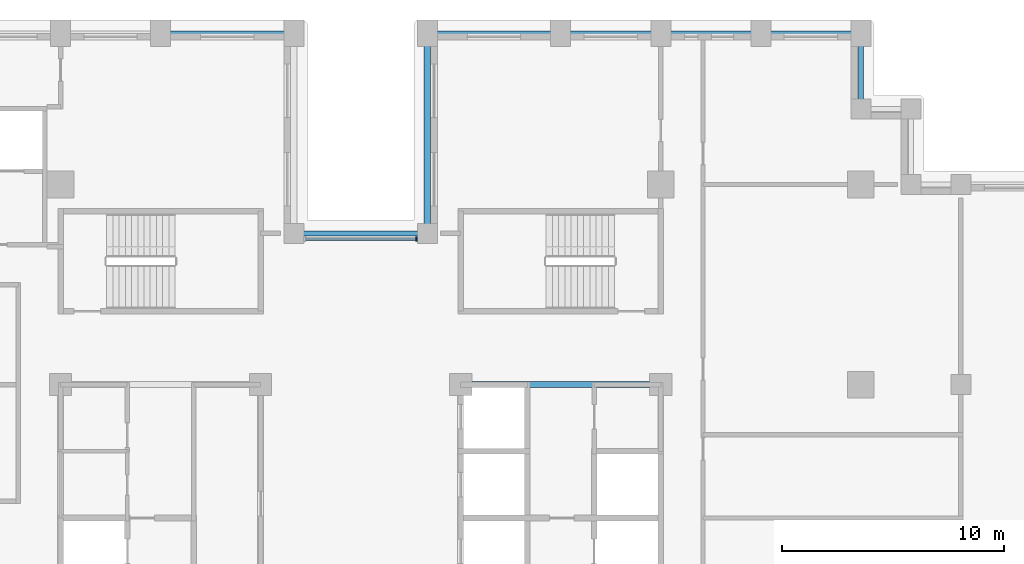
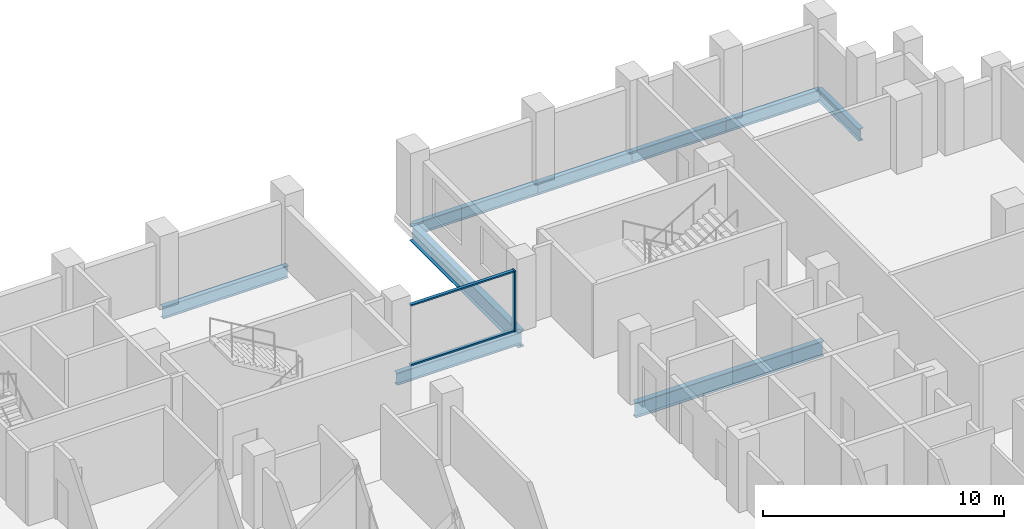
# One storey, part 4 of 15: 9 beams, 3 members, 1 element without a shape of its own.
"""IFC4 building model written with IfcOpenShell, lengths in metres."""

import ifcopenshell
import ifcopenshell.guid

model = None  # the IFC model being written
_history = None  # IfcOwnerHistory: only IFC2X3 demands one
_inside = {}  # id of a spatial element -> (the spatial element, [elements in it])
_under = {}  # id of a project, library or spatial element -> (it, [spatial elements below it])
_declared = {}  # id of a project -> (the project, [libraries it declares])
_typed = {}  # id of a type object -> (the type object, [elements of that type])
_made_of = {}  # id of a material, layer set ... -> (it, [elements and type objects made of it])


def new_model(schema):
    """Start an empty IFC model of exactly this schema.

    Asked for "IFC4X3", IfcOpenShell would pick the latest addendum, in which some entities
    have other attributes; the version numbers below select the first issue.
    IFC2X3 requires an IfcOwnerHistory on every rooted entity: one is made here for all.
    """
    global model, _history
    if schema == "IFC4X3":
        model = ifcopenshell.file(schema_version=(4, 3, 0, 0))
    else:
        model = ifcopenshell.file(schema=schema)
    _inside.clear()
    _under.clear()
    _declared.clear()
    _typed.clear()
    _made_of.clear()
    _history = None
    if model.schema == "IFC2X3":
        org = make("IfcOrganization", Name="unknown")
        user = make(
            "IfcPersonAndOrganization",
            ThePerson=make("IfcPerson", FamilyName="unknown"),
            TheOrganization=org,
        )
        app = make(
            "IfcApplication",
            ApplicationDeveloper=org,
            Version="unknown",
            ApplicationFullName="unknown",
            ApplicationIdentifier="unknown",
        )
        _history = make(
            "IfcOwnerHistory",
            OwningUser=user,
            OwningApplication=app,
            ChangeAction="ADDED",
            CreationDate=0,
        )
    return model


def make(cls, **values):
    """One entity of the class cls with the attributes given. An attribute that is None is left unset."""
    return model.create_entity(
        cls, **{name: value for name, value in values.items() if value is not None}
    )


def rooted(cls, **values):
    """An entity with a GlobalId (a new one), such as an element, a storey or a relation."""
    return make(cls, GlobalId=ifcopenshell.guid.new(), OwnerHistory=_history, **values)


def si_unit(unit_type, name, prefix=None):
    """IfcSIUnit, for example si_unit("LENGTHUNIT", "METRE", prefix="MILLI")."""
    return make("IfcSIUnit", UnitType=unit_type, Prefix=prefix, Name=name)


def assignment(units):
    """IfcUnitAssignment: the units of a project."""
    return None if units is None else make("IfcUnitAssignment", Units=units)


def point(xyz):
    """IfcCartesianPoint."""
    return None if xyz is None else make("IfcCartesianPoint", Coordinates=xyz)


def direction(xyz):
    """IfcDirection."""
    return None if xyz is None else make("IfcDirection", DirectionRatios=xyz)


def frame(location, z_axis=None, x_axis=None):
    """IfcAxis2Placement3D, a coordinate frame: its origin and axes. An axis left out is left unset."""
    return make(
        "IfcAxis2Placement3D",
        Location=point(location),
        Axis=direction(z_axis),
        RefDirection=direction(x_axis),
    )


def frame_2d(location, x_axis=None):
    """IfcAxis2Placement2D, a coordinate frame in the plane: its origin and x axis."""
    return make(
        "IfcAxis2Placement2D", Location=point(location), RefDirection=direction(x_axis)
    )


def origin():
    """The frame at (0, 0, 0) with its axes left unset."""
    return frame((0.0, 0.0, 0.0))


def origin_2d():
    """The frame at (0, 0) in the plane with its x axis left unset."""
    return frame_2d((0.0, 0.0))


def place(relative_to, where):
    """IfcLocalPlacement: puts the frame where relative to a parent placement (None: the world)."""
    return make(
        "IfcLocalPlacement", PlacementRelTo=relative_to, RelativePlacement=where
    )


def context(
    kind, dimensions, precision=None, world=None, true_north=None, identifier=None
):
    """IfcGeometricRepresentationContext, for example the 3D "Model" context."""
    return make(
        "IfcGeometricRepresentationContext",
        ContextIdentifier=identifier,
        ContextType=kind,
        CoordinateSpaceDimension=dimensions,
        Precision=precision,
        WorldCoordinateSystem=world,
        TrueNorth=true_north,
    )


def subcontext(parent, identifier, kind, view, scale=None):
    """IfcGeometricRepresentationSubContext, for example "Body" below "Model"."""
    return make(
        "IfcGeometricRepresentationSubContext",
        ContextIdentifier=identifier,
        ContextType=kind,
        ParentContext=parent,
        TargetScale=scale,
        TargetView=view,
    )


def project(units=None, contexts=None):
    """IfcProject with its units and contexts."""
    return rooted(
        "IfcProject",
        Name="project",
        RepresentationContexts=contexts,
        UnitsInContext=assignment(units),
    )


def spatial(cls, under=None, at=None, **own):
    """A site, building, storey or space (cls), placed at a placement, below another one or the project."""
    s = rooted(cls, ObjectPlacement=at, **own)
    if under is not None:
        _under.setdefault(under.id(), (under, []))[1].append(s)
    return s


def profile(cls, at=None, kind="AREA", **sizes):
    """A parametric profile (cls). Its sizes go by their IFC names, for example OverallWidth=200.0."""
    return make(cls, ProfileType=kind, Position=at, **sizes)


def rectangle(**sizes):
    """IfcRectangleProfileDef."""
    return profile("IfcRectangleProfileDef", **sizes)


def i_section(**sizes):
    """IfcIShapeProfileDef."""
    return profile("IfcIShapeProfileDef", **sizes)


def extrude(swept, where, along, depth):
    """IfcExtrudedAreaSolid: the profile swept, set in the frame where, extruded along a direction by depth."""
    return make(
        "IfcExtrudedAreaSolid",
        SweptArea=swept,
        Position=where,
        ExtrudedDirection=direction(along),
        Depth=depth,
    )


def shape(context_of_items, identifier, shape_type, items):
    """IfcShapeRepresentation: the items that make up one representation, for example the "Body"."""
    return make(
        "IfcShapeRepresentation",
        ContextOfItems=context_of_items,
        RepresentationIdentifier=identifier,
        RepresentationType=shape_type,
        Items=items,
    )


def material(Name=None, Category=None):
    """IfcMaterial."""
    return make("IfcMaterial", Name=Name, Category=Category)


def layer(
    of_material, thickness, ventilated=None, Name=None, Category=None, Priority=None
):
    """IfcMaterialLayer: one layer of a wall or slab, of a material (None: an air gap)."""
    return make(
        "IfcMaterialLayer",
        Material=of_material,
        LayerThickness=thickness,
        IsVentilated=ventilated,
        Name=Name,
        Category=Category,
        Priority=Priority,
    )


def layer_set(layers, Name=None):
    """IfcMaterialLayerSet."""
    return make("IfcMaterialLayerSet", MaterialLayers=layers, LayerSetName=Name)


def material_profile(
    of_material, cross_section, Name=None, Category=None, Priority=None
):
    """IfcMaterialProfile: a cross section and its material."""
    return make(
        "IfcMaterialProfile",
        Name=Name,
        Material=of_material,
        Profile=cross_section,
        Priority=Priority,
        Category=Category,
    )


def profile_set(profiles, Name=None, composite=None):
    """IfcMaterialProfileSet."""
    return make(
        "IfcMaterialProfileSet",
        Name=Name,
        MaterialProfiles=profiles,
        CompositeProfile=composite,
    )


def made_of(thing, what):
    """Note that an element or type object is made of a material, layer set ...; save() writes the relation."""
    if what is not None:
        _made_of.setdefault(what.id(), (what, []))[1].append(thing)
    return thing


def type_object(cls, material=None, **own):
    """A type object (cls), such as IfcWallType, which elements share."""
    return made_of(rooted(cls, **own), material)


def element(
    cls,
    number,
    at=None,
    inside=None,
    cuts=None,
    type_object=None,
    material=None,
    context=None,
    identifier="Body",
    shape_type=None,
    held_by="IfcProductDefinitionShape",
    body=None,
    shapes=None,
    **own,
):
    """One element of the class cls, such as IfcWall. Its Tag is "e" and its number.

    at: its placement. inside: the storey or other place that contains it. cuts: it is an
    opening in that element (IfcRelVoidsElement). A single representation is given by context,
    identifier, shape_type and body (its items); several are given by shapes. held_by: the class
    of the entity that holds the representations. save() writes the other relations.
    """
    e = rooted(cls, Tag="e%d" % number, ObjectPlacement=at, **own)
    if body is not None:
        shapes = [shape(context, identifier, shape_type, body)]
    if shapes is not None:
        e.Representation = make(held_by, Representations=shapes)
    if inside is not None:
        _inside.setdefault(inside.id(), (inside, []))[1].append(e)
    if cuts is not None:
        rooted(
            "IfcRelVoidsElement", RelatingBuildingElement=cuts, RelatedOpeningElement=e
        )
    if type_object is not None:
        _typed.setdefault(type_object.id(), (type_object, []))[1].append(e)
    return made_of(e, material)


def aggregate(whole, parts):
    """IfcRelAggregates: a whole, such as a stair, and the parts it consists of."""
    return rooted("IfcRelAggregates", RelatingObject=whole, RelatedObjects=parts)


def save(model, path):
    """Write the relations noted so far, then the file.

    IfcRelAggregates (storeys below a building ...), IfcRelContainedInSpatialStructure (elements
    in a storey), IfcRelDefinesByType, IfcRelAssociatesMaterial and IfcRelDeclares: one each for
    every whole, place, type object, material and project.
    """
    for whole, parts in _under.values():
        aggregate(whole, parts)
    for where, things in _inside.values():
        rooted(
            "IfcRelContainedInSpatialStructure",
            RelatedElements=things,
            RelatingStructure=where,
        )
    for kind, things in _typed.values():
        rooted("IfcRelDefinesByType", RelatedObjects=things, RelatingType=kind)
    for what, things in _made_of.values():
        rooted("IfcRelAssociatesMaterial", RelatedObjects=things, RelatingMaterial=what)
    for by, libraries in _declared.values():
        rooted("IfcRelDeclares", RelatingContext=by, RelatedDefinitions=libraries)
    model.write(path)


model = new_model("IFC4")

# Units and contexts
model_context = context("Model", 3, precision=1e-05, world=origin(), true_north=direction((0.0, 1.0)))
body_context = subcontext(model_context, "Body", "Model", "MODEL_VIEW")
ifc_project = project(units=[si_unit("LENGTHUNIT", "METRE"), si_unit("AREAUNIT", "SQUARE_METRE"), si_unit("VOLUMEUNIT", "CUBIC_METRE"), si_unit("PLANEANGLEUNIT", "RADIAN"), si_unit("MASSUNIT", "GRAM", prefix="KILO")], contexts=[model_context])

# Site, building, storey
site_placement = place(None, origin())
site = spatial("IfcSite", under=ifc_project, at=site_placement, CompositionType="ELEMENT")
building_placement = place(site_placement, origin())
building = spatial("IfcBuilding", under=site, at=building_placement, Name="Corbelhall Arena Tower", CompositionType="ELEMENT")
storey_placement = place(building_placement, frame((0.0, 0.0, 88.0)))
storey = spatial("IfcBuildingStorey", under=building, at=storey_placement, Name="L14", CompositionType="ELEMENT", Elevation=88.0)

# Curtain wall, members
ifc_material_1 = material(Name="Aluminium black anodised", Category="aluminium")
ifc_layer = layer(ifc_material_1, 0.199951171875)
ifc_layer_set = layer_set([ifc_layer], Name="EV-CW1 Slot back wall")
curtain_wall_type = type_object("IfcCurtainWallType", Name="EV-CW1 Slot back wall", PredefinedType="NOTDEFINED", material=ifc_layer_set)
curtain_wall_placement = place(storey_placement, origin())
curtain_wall = element("IfcCurtainWall", 1, at=curtain_wall_placement, inside=storey, type_object=curtain_wall_type, Name="Curtain wall CW1", PredefinedType="NOTDEFINED")
ifc_material_profile_1 = material_profile(ifc_material_1, rectangle(XDim=0.199951171875, YDim=0.074951171875, at=origin_2d()))
ifc_profile_set_1 = profile_set([ifc_material_profile_1], Name="Aluminium black anodised")
member_type_1 = type_object("IfcMemberType", Name="EV-CW1-MULLION", PredefinedType="MULLION", material=ifc_profile_set_1)
member_1_placement = place(storey_placement, frame((2.512451171875, 15.550048828125, 0.0), z_axis=(0.0, 0.0, 1.0), x_axis=(0.0, -1.0, 0.0)))
member_1 = element("IfcMember", 2, at=member_1_placement, type_object=member_type_1, Name="CW1 mullion 1", PredefinedType="MULLION", context=body_context, shape_type="SweptSolid", body=[
    extrude(rectangle(XDim=0.199951171875, YDim=0.074951171875, at=origin_2d()), origin(), (0.0, 0.0, 1.0), 3.10009765625),
])
ifc_material_profile_2 = material_profile(ifc_material_1, rectangle(XDim=0.14990234375, YDim=0.074951171875, at=origin_2d()))
ifc_profile_set_2 = profile_set([ifc_material_profile_2], Name="Aluminium black anodised")
member_type_2 = type_object("IfcMemberType", Name="EV-CW1-TRANSOM", PredefinedType="USERDEFINED", material=ifc_profile_set_2)
member_2_placement = place(storey_placement, frame((2.47509765625, 15.550048828125, 0.03759765625), z_axis=(-1.0, 0.0, 0.0), x_axis=(0.0, -1.0, 0.0)))
member_2 = element("IfcMember", 3, at=member_2_placement, type_object=member_type_2, Name="CW1 transom 1.1", ObjectType="transom", PredefinedType="USERDEFINED", context=body_context, shape_type="SweptSolid", body=[
    extrude(rectangle(XDim=0.14990234375, YDim=0.074951171875, at=origin_2d()), origin(), (0.0, 0.0, 1.0), 4.9501953125),
])
member_3_placement = place(storey_placement, frame((2.47509765625, 15.550048828125, 3.0625), z_axis=(-1.0, 0.0, 0.0), x_axis=(0.0, -1.0, 0.0)))
member_3 = element("IfcMember", 4, at=member_3_placement, type_object=member_type_2, Name="CW1 transom 1.2", ObjectType="transom", PredefinedType="USERDEFINED", context=body_context, shape_type="SweptSolid", body=[
    extrude(rectangle(XDim=0.14990234375, YDim=0.074951171875, at=origin_2d()), origin(), (0.0, 0.0, 1.0), 4.9501953125),
])
aggregate(curtain_wall, [member_1, member_2, member_3])

# Beams
ifc_material_2 = material(Name="Steel ASTM A992 Gr50", Category="steel")
ifc_material_profile_3 = material_profile(ifc_material_2, i_section(OverallWidth=0.2666015625, OverallDepth=0.761962890625, WebThickness=0.014404296875, FlangeThickness=0.021484375, at=origin_2d()))
ifc_profile_set_3 = profile_set([ifc_material_profile_3], Name="Steel ASTM A992 Gr50")
beam_type_1 = type_object("IfcBeamType", Name="ST-BEAM-W30x116", PredefinedType="BEAM", material=ifc_profile_set_3)
beam_1_placement = place(storey_placement, frame((4.5, 9.0, -0.680908203125), z_axis=(1.0, 0.0, 0.0), x_axis=(0.0, 1.0, 0.0)))
element("IfcBeam", 5, at=beam_1_placement, inside=storey, type_object=beam_type_1, Name="Beam CEE 12", PredefinedType="BEAM", context=body_context, shape_type="SweptSolid", body=[
    extrude(i_section(OverallWidth=0.2666015625, OverallDepth=0.761962890625, WebThickness=0.014404296875, FlangeThickness=0.021484375, at=origin_2d()), origin(), (0.0, 0.0, 1.0), 9.0),
])
ifc_material_profile_4 = material_profile(ifc_material_2, i_section(OverallWidth=0.23046875, OverallDepth=0.6171875, WebThickness=0.01318359375, FlangeThickness=0.022216796875, at=origin_2d()))
ifc_profile_set_4 = profile_set([ifc_material_profile_4], Name="Steel ASTM A992 Gr50")
beam_type_2 = type_object("IfcBeamType", Name="ST-SPANDREL-W24x94", PredefinedType="SPANDREL", material=ifc_profile_set_4)
beam_2_placement = place(storey_placement, frame((3.0, 24.800048828125, -0.608642578125), z_axis=(1.0, 0.0, 0.0), x_axis=(0.0, 1.0, 0.0)))
element("IfcBeam", 6, at=beam_2_placement, inside=storey, type_object=beam_type_2, Name="Beam SP 17", PredefinedType="SPANDREL", context=body_context, shape_type="SweptSolid", body=[
    extrude(i_section(OverallWidth=0.23046875, OverallDepth=0.6171875, WebThickness=0.01318359375, FlangeThickness=0.022216796875, at=origin_2d()), origin(), (0.0, 0.0, 1.0), 6.0),
])
for number, where, z_axis, x_axis, name in (
    (7, (9.0, 24.800048828125, -0.608642578125), (1.0, 0.0, 0.0), (0.0, 1.0, 0.0), "Beam SP 18"),
    (8, (13.5, 24.800048828125, -0.608642578125), (1.0, 0.0, 0.0), (0.0, 1.0, 0.0), "Beam SP 19"),
    (9, (18.0, 24.800048828125, -0.608642578125), (1.0, 0.0, 0.0), (0.0, 1.0, 0.0), "Beam SP 20"),
):
    element("IfcBeam", number, at=place(storey_placement, frame(where, z_axis=z_axis, x_axis=x_axis)), inside=storey, type_object=beam_type_2, Name=name, PredefinedType="SPANDREL", context=body_context, shape_type="SweptSolid", body=[
        extrude(i_section(OverallWidth=0.23046875, OverallDepth=0.6171875, WebThickness=0.01318359375, FlangeThickness=0.022216796875, at=origin_2d()), origin(), (0.0, 0.0, 1.0), 4.5),
    ])
beam_3_placement = place(storey_placement, frame((22.5, 24.800048828125, -0.608642578125), z_axis=(0.0, -1.0, 0.0), x_axis=(1.0, 0.0, 0.0)))
element("IfcBeam", 10, at=beam_3_placement, inside=storey, type_object=beam_type_2, Name="Beam SP 21", PredefinedType="SPANDREL", context=body_context, shape_type="SweptSolid", body=[
    extrude(i_section(OverallWidth=0.23046875, OverallDepth=0.6171875, WebThickness=0.01318359375, FlangeThickness=0.022216796875, at=origin_2d()), origin(), (0.0, 0.0, 1.0), 3.400146484375),
])
for number, where, z_axis, x_axis, name in (
    (11, (-9.0, 24.800048828125, -0.608642578125), (1.0, 0.0, 0.0), (0.0, 1.0, 0.0), "Beam SP 23"),
    (12, (-3.0, 15.800048828125, -0.608642578125), (1.0, 0.0, 0.0), (0.0, 1.0, 0.0), "Beam SP 40"),
):
    element("IfcBeam", number, at=place(storey_placement, frame(where, z_axis=z_axis, x_axis=x_axis)), inside=storey, type_object=beam_type_2, Name=name, PredefinedType="SPANDREL", context=body_context, shape_type="SweptSolid", body=[
        extrude(i_section(OverallWidth=0.23046875, OverallDepth=0.6171875, WebThickness=0.01318359375, FlangeThickness=0.022216796875, at=origin_2d()), origin(), (0.0, 0.0, 1.0), 6.0),
    ])
ifc_material_profile_5 = material_profile(ifc_material_2, i_section(OverallWidth=0.2919921875, OverallDepth=0.845703125, WebThickness=0.015380859375, FlangeThickness=0.0244140625, at=origin_2d()))
ifc_profile_set_5 = profile_set([ifc_material_profile_5], Name="Steel ASTM A992 Gr50")
beam_type_3 = type_object("IfcBeamType", Name="ST-SPANDREL-W33x141", PredefinedType="SPANDREL", material=ifc_profile_set_5)
beam_4_placement = place(storey_placement, frame((3.0, 15.800048828125, -0.722900390625), z_axis=(0.0, 1.0, 0.0), x_axis=(-1.0, 0.0, 0.0)))
element("IfcBeam", 13, at=beam_4_placement, inside=storey, type_object=beam_type_3, Name="Beam SP 39", PredefinedType="SPANDREL", context=body_context, shape_type="SweptSolid", body=[
    extrude(i_section(OverallWidth=0.2919921875, OverallDepth=0.845703125, WebThickness=0.015380859375, FlangeThickness=0.0244140625, at=origin_2d()), origin(), (0.0, 0.0, 1.0), 9.0),
])

save(model, "model.ifc")
